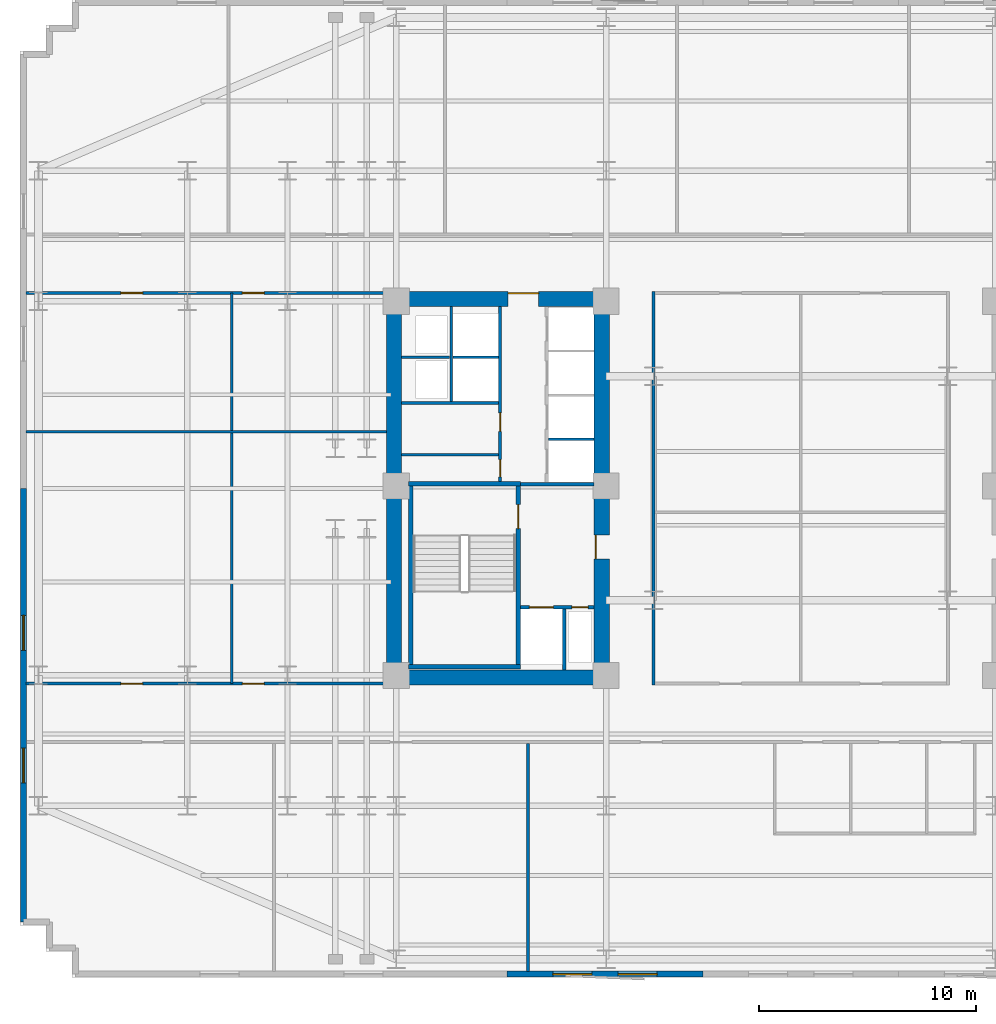
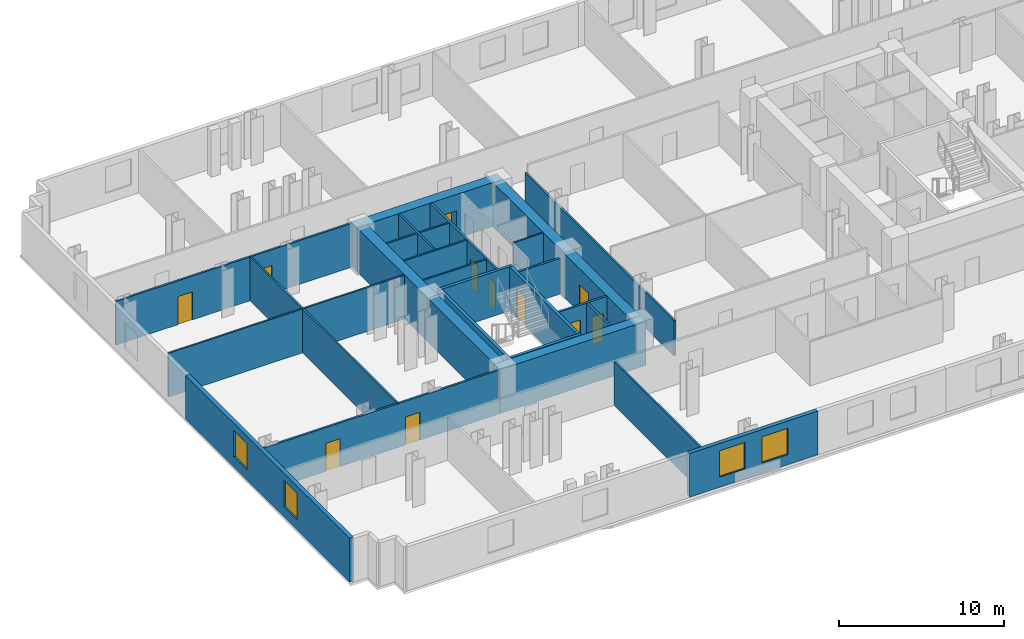
# One storey, part 4 of 10: 26 walls, 11 doors, 4 windows, 15 openings.
"""IFC4 building model written with IfcOpenShell, lengths in metres."""

from ifc_helpers import new_model, si_unit, direction, frame, frame_2d, origin, place, context, subcontext, project, spatial, rectangle, extrude, material, layer, layer_set, type_object, element, fill, save


model = new_model("IFC4")

# Units and contexts
model_context = context("Model", 3, precision=1e-05, world=origin(), true_north=direction((0.0, 1.0)))
body_context = subcontext(model_context, "Body", "Model", "MODEL_VIEW")
ifc_project = project(units=[si_unit("LENGTHUNIT", "METRE"), si_unit("AREAUNIT", "SQUARE_METRE"), si_unit("VOLUMEUNIT", "CUBIC_METRE"), si_unit("PLANEANGLEUNIT", "RADIAN"), si_unit("MASSUNIT", "GRAM", prefix="KILO")], contexts=[model_context])

# Site, building, storey
site_placement = place(None, origin())
site = spatial("IfcSite", under=ifc_project, at=site_placement, CompositionType="ELEMENT")
building_placement = place(site_placement, origin())
building = spatial("IfcBuilding", under=site, at=building_placement, Name="Velakula Bourse", CompositionType="ELEMENT")
storey_placement = place(building_placement, frame((0.0, 0.0, 62.25)))
storey = spatial("IfcBuildingStorey", under=building, at=storey_placement, Name="L16", CompositionType="ELEMENT", Elevation=62.25)

# Wall, opening, door
ifc_material_1 = material(Name="Concrete M50 (fck 50 MPa)", Category="concrete")
ifc_layer_1 = layer(ifc_material_1, 0.2099609375, Name="Concrete M50 (fck 50 MPa)", Category="concrete")
ifc_layer_set_1 = layer_set([ifc_layer_1], Name="Concrete M50 (fck 50 MPa)")
wall_type_1 = type_object("IfcWallType", Name="WL-CORE-210", PredefinedType="SHEAR", material=ifc_layer_set_1)
wall_1_placement = place(storey_placement, frame((-12.9951171875, -8.10009765625, 0.0), z_axis=(0.0, 0.0, 1.0), x_axis=(0.0, 1.0, 0.0)))
wall_1 = element("IfcWall", 1, at=wall_1_placement, inside=storey, type_object=wall_type_1, Name="L16 Core W Stairwell Shear Wall IN", PredefinedType="SHEAR", context=body_context, shape_type="SweptSolid", body=[
    extrude(rectangle(XDim=8.2001953125, YDim=0.2099609375, at=frame_2d((4.10009765625, 0.0))), origin(), (0.0, 0.0, 1.0), 3.27001953125),
])
opening_1_placement = place(wall_1_placement, frame((6.25, 0.0, 0.0)))
opening_1 = element("IfcOpeningElement", 2, at=opening_1_placement, cuts=wall_1, Name="Opening D-STW1", PredefinedType="OPENING", context=body_context, shape_type="SweptSolid", body=[
    extrude(rectangle(XDim=1.10009765625, YDim=2.14990234375, at=frame_2d((0.550048828125, 1.074951171875))), frame((0.0, 0.114990234375, 0.0), z_axis=(0.0, -1.0, 0.0), x_axis=(1.0, 0.0, 0.0)), (0.0, 0.0, 1.0), 0.22998046875),
])
ifc_material_2 = material(Name="Galvanised painted hollow steel fire door", Category="steel")
door_type_1 = type_object("IfcDoorType", Name="DR-FD120-1100x2150", OperationType="NOTDEFINED", PredefinedType="DOOR", material=ifc_material_2)
door_1_placement = place(opening_1_placement, origin())
door_1 = element("IfcDoor", 3, at=door_1_placement, inside=storey, type_object=door_type_1, Name="L16 Stair ST-W1 Fire Door", OperationType="SINGLE_SWING_LEFT", OverallHeight=2.14990234375, OverallWidth=1.10009765625, PredefinedType="DOOR", context=body_context, shape_type="SweptSolid", body=[
    extrude(rectangle(XDim=1.10009765625, YDim=2.14990234375, at=frame_2d((0.550048828125, 1.074951171875))), frame((0.0, 0.02490234375, 0.0), z_axis=(0.0, -1.0, 0.0), x_axis=(1.0, 0.0, 0.0)), (0.0, 0.0, 1.0), 0.050048828125),
])
fill(opening_1, door_1)

# Walls
wall_2_placement = place(storey_placement, frame((-17.925048828125, -8.10009765625, 0.0), z_axis=(0.0, 0.0, 1.0), x_axis=(0.0, 1.0, 0.0)))
element("IfcWall", 4, at=wall_2_placement, inside=storey, type_object=wall_type_1, Name="L16 Core W Stairwell Shear Wall OUT", PredefinedType="SHEAR", context=body_context, shape_type="SweptSolid", body=[
    extrude(rectangle(XDim=8.2001953125, YDim=0.2099609375, at=frame_2d((4.10009765625, 0.0))), origin(), (0.0, 0.0, 1.0), 3.27001953125),
])
for number, where, z_axis, x_axis, name in (
    (5, (-18.030029296875, -8.205078125, 0.0), (0.0, 0.0, 1.0), (1.0, 0.0, 0.0), "L16 Core W Stairwell Shear Wall S"),
    (6, (-12.889892578125, 0.205078125, 0.0), (0.0, 0.0, 1.0), (-1.0, 0.0, 0.0), "L16 Core W Stairwell Shear Wall N"),
):
    element("IfcWall", number, at=place(storey_placement, frame(where, z_axis=z_axis, x_axis=x_axis)), inside=storey, type_object=wall_type_1, Name=name, PredefinedType="SHEAR", context=body_context, shape_type="SweptSolid", body=[
        extrude(rectangle(XDim=5.14013671875, YDim=0.2099609375, at=frame_2d((2.570068359375, 0.0))), origin(), (0.0, 0.0, 1.0), 3.27001953125),
    ])
ifc_material_3 = material(Name="Concrete M70 (fck 70 MPa)", Category="concrete")
ifc_layer_2 = layer(ifc_material_3, 0.699951171875, Name="Concrete M70 (fck 70 MPa)", Category="concrete")
ifc_layer_set_2 = layer_set([ifc_layer_2], Name="Concrete M70 (fck 70 MPa)")
wall_type_2 = type_object("IfcWallType", Name="WL-CORE-700", PredefinedType="SHEAR", material=ifc_layer_set_2)
wall_3_placement = place(storey_placement, frame((-19.050048828125, -8.699951171875, 0.0), z_axis=(0.0, 0.0, 1.0), x_axis=(1.0, 0.0, 0.0)))
element("IfcWall", 7, at=wall_3_placement, inside=storey, type_object=wall_type_2, Name="L16 Core W Shear Wall S", PredefinedType="SHEAR", context=body_context, shape_type="SweptSolid", body=[
    extrude(rectangle(XDim=10.25, YDim=0.699951171875, at=frame_2d((5.125, 0.0))), origin(), (0.0, 0.0, 1.0), 3.27001953125),
])

# Wall, opening, door
wall_4_placement = place(storey_placement, frame((-19.050048828125, 8.699951171875, 0.0), z_axis=(0.0, 0.0, 1.0), x_axis=(1.0, 0.0, 0.0)))
wall_4 = element("IfcWall", 8, at=wall_4_placement, inside=storey, type_object=wall_type_2, Name="L16 Core W Shear Wall N", PredefinedType="SHEAR", context=body_context, shape_type="SweptSolid", body=[
    extrude(rectangle(XDim=10.25, YDim=0.699951171875, at=frame_2d((5.125, 0.0))), origin(), (0.0, 0.0, 1.0), 3.27001953125),
])
opening_2_placement = place(wall_4_placement, frame((5.60009765625, 0.0, 0.0)))
opening_2 = element("IfcOpeningElement", 9, at=opening_2_placement, cuts=wall_4, Name="Opening D-LLW", PredefinedType="OPENING", context=body_context, shape_type="SweptSolid", body=[
    extrude(rectangle(XDim=1.39990234375, YDim=2.050048828125, at=frame_2d((0.699951171875, 1.02490234375))), frame((0.0, 0.35986328125, 0.0), z_axis=(0.0, -1.0, 0.0), x_axis=(1.0, 0.0, 0.0)), (0.0, 0.0, 1.0), 0.719970703125),
])
ifc_material_4 = material(Name="Fire-rated hardwood flush architectural door", Category="wood")
door_type_2 = type_object("IfcDoorType", Name="DR-DBL-FD60-1400", OperationType="DOUBLE_DOOR_SINGLE_SWING", PredefinedType="DOOR", material=ifc_material_4)
door_2_placement = place(opening_2_placement, origin())
door_2 = element("IfcDoor", 10, at=door_2_placement, inside=storey, type_object=door_type_2, Name="L16 Core W Lift Lobby Corridor Double Door", OperationType="DOUBLE_DOOR_SINGLE_SWING", OverallHeight=2.050048828125, OverallWidth=1.39990234375, PredefinedType="DOOR", context=body_context, shape_type="SweptSolid", body=[
    extrude(rectangle(XDim=1.39990234375, YDim=2.050048828125, at=frame_2d((0.699951171875, 1.02490234375))), frame((0.0, 0.294921875, 0.0), z_axis=(0.0, -1.0, 0.0), x_axis=(1.0, 0.0, 0.0)), (0.0, 0.0, 1.0), 0.050048828125),
])
fill(opening_2, door_2)

# Wall
wall_5_placement = place(storey_placement, frame((-18.699951171875, -8.35009765625, 0.0), z_axis=(0.0, 0.0, 1.0), x_axis=(0.0, 1.0, 0.0)))
element("IfcWall", 11, at=wall_5_placement, inside=storey, type_object=wall_type_2, Name="L16 Core W Shear Wall W", PredefinedType="SHEAR", context=body_context, shape_type="SweptSolid", body=[
    extrude(rectangle(XDim=16.7001953125, YDim=0.699951171875, at=frame_2d((8.35009765625, 0.0))), origin(), (0.0, 0.0, 1.0), 3.27001953125),
])

# Wall, opening, door
wall_6_placement = place(storey_placement, frame((-9.14990234375, -8.35009765625, 0.0), z_axis=(0.0, 0.0, 1.0), x_axis=(0.0, 1.0, 0.0)))
wall_6 = element("IfcWall", 12, at=wall_6_placement, inside=storey, type_object=wall_type_2, Name="L16 Core W Shear Wall E", PredefinedType="SHEAR", context=body_context, shape_type="SweptSolid", body=[
    extrude(rectangle(XDim=16.7001953125, YDim=0.699951171875, at=frame_2d((8.35009765625, 0.0))), origin(), (0.0, 0.0, 1.0), 3.27001953125),
])
opening_3_placement = place(wall_6_placement, frame((5.10009765625, 0.0, 0.0)))
opening_3 = element("IfcOpeningElement", 13, at=opening_3_placement, cuts=wall_6, Name="Opening D-FLW", PredefinedType="OPENING", context=body_context, shape_type="SweptSolid", body=[
    extrude(rectangle(XDim=1.10009765625, YDim=2.080078125, at=frame_2d((0.550048828125, 1.0400390625))), frame((0.0, 0.35986328125, 0.0), z_axis=(0.0, -1.0, 0.0), x_axis=(1.0, 0.0, 0.0)), (0.0, 0.0, 1.0), 0.719970703125),
])
door_type_3 = type_object("IfcDoorType", Name="DR-FD120-1100", OperationType="NOTDEFINED", PredefinedType="DOOR", material=ifc_material_2)
door_3_placement = place(opening_3_placement, origin())
door_3 = element("IfcDoor", 14, at=door_3_placement, inside=storey, type_object=door_type_3, Name="L16 Firefighting Lobby W Corridor Fire Door", OperationType="SINGLE_SWING_LEFT", OverallHeight=2.080078125, OverallWidth=1.10009765625, PredefinedType="DOOR", context=body_context, shape_type="SweptSolid", body=[
    extrude(rectangle(XDim=1.10009765625, YDim=2.080078125, at=frame_2d((0.550048828125, 1.0400390625))), frame((0.0, 0.30517578125, 0.0), z_axis=(0.0, -1.0, 0.0), x_axis=(1.0, 0.0, 0.0)), (0.0, 0.0, 1.0), 0.050048828125),
])
fill(opening_3, door_3)

# Wall, openings, windows
ifc_material_5 = material(Name="Red kilned clay facing brick masonry", Category="masonry")
ifc_layer_3 = layer(ifc_material_5, 0.280029296875, Name="Red kilned clay facing brick masonry", Category="masonry")
ifc_layer_set_3 = layer_set([ifc_layer_3], Name="Red kilned clay facing brick masonry")
wall_type_3 = type_object("IfcWallType", Name="WL-EXT-BRK-280", PredefinedType="STANDARD", material=ifc_layer_set_3)
wall_7_placement = place(storey_placement, frame((-4.5, -22.340087890625, 0.0), z_axis=(0.0, 0.0, 1.0), x_axis=(-1.0, 0.0, 0.0)))
wall_7 = element("IfcWall", 15, at=wall_7_placement, inside=storey, type_object=wall_type_3, Name="L16 S Brick Spandrel Wall B2", PredefinedType="STANDARD", context=body_context, shape_type="SweptSolid", body=[
    extrude(rectangle(XDim=9.0, YDim=0.280029296875, at=frame_2d((4.5, 0.0))), origin(), (0.0, 0.0, 1.0), 3.25),
])
opening_4_placement = place(wall_7_placement, frame((2.10009765625, 0.0, 0.760009765625)))
opening_4 = element("IfcOpeningElement", 16, at=opening_4_placement, cuts=wall_7, Name="Opening W-01", PredefinedType="OPENING", context=body_context, shape_type="SweptSolid", body=[
    extrude(rectangle(XDim=1.800048828125, YDim=1.949951171875, at=frame_2d((0.89990234375, 0.97509765625))), frame((0.0, 0.14990234375, 0.0), z_axis=(0.0, -1.0, 0.0), x_axis=(1.0, 0.0, 0.0)), (0.0, 0.0, 1.0), 0.300048828125),
])
opening_5_placement = place(wall_7_placement, frame((5.10009765625, 0.0, 0.760009765625)))
opening_5 = element("IfcOpeningElement", 17, at=opening_5_placement, cuts=wall_7, Name="Opening W-01", PredefinedType="OPENING", context=body_context, shape_type="SweptSolid", body=[
    extrude(rectangle(XDim=1.800048828125, YDim=1.949951171875, at=frame_2d((0.89990234375, 0.97509765625))), frame((0.0, 0.14990234375, 0.0), z_axis=(0.0, -1.0, 0.0), x_axis=(1.0, 0.0, 0.0)), (0.0, 0.0, 1.0), 0.300048828125),
])
ifc_material_6 = material(Name="Double-glazed solar-control Low-E glass", Category="glass")
window_type_1 = type_object("IfcWindowType", Name="WIN-TWR-1800x2100", PartitioningType="SINGLE_PANEL", PredefinedType="WINDOW", material=ifc_material_6)
window_1_placement = place(opening_4_placement, origin())
window_1 = element("IfcWindow", 18, at=window_1_placement, inside=storey, type_object=window_type_1, Name="L16 Deep-Set Recessed Window 1", OverallHeight=1.949951171875, OverallWidth=1.800048828125, PartitioningType="SINGLE_PANEL", PredefinedType="WINDOW", context=body_context, shape_type="SweptSolid", body=[
    extrude(rectangle(XDim=1.800048828125, YDim=1.949951171875, at=frame_2d((0.89990234375, 0.97509765625))), frame((0.0, 0.030029296875, 0.0), z_axis=(0.0, -1.0, 0.0), x_axis=(1.0, 0.0, 0.0)), (0.0, 0.0, 1.0), 0.06005859375),
])
fill(opening_4, window_1)
window_2_placement = place(opening_5_placement, origin())
window_2 = element("IfcWindow", 19, at=window_2_placement, inside=storey, type_object=window_type_1, Name="L16 Deep-Set Recessed Window 2", OverallHeight=1.949951171875, OverallWidth=1.800048828125, PartitioningType="SINGLE_PANEL", PredefinedType="WINDOW", context=body_context, shape_type="SweptSolid", body=[
    extrude(rectangle(XDim=1.800048828125, YDim=1.949951171875, at=frame_2d((0.89990234375, 0.97509765625))), frame((0.0, 0.030029296875, 0.0), z_axis=(0.0, -1.0, 0.0), x_axis=(1.0, 0.0, 0.0)), (0.0, 0.0, 1.0), 0.06005859375),
])
fill(opening_5, window_2)

wall_8_placement = place(storey_placement, frame((-35.739990234375, -19.93994140625, 0.0), z_axis=(0.0, 0.0, 1.0), x_axis=(0.0, 1.0, 0.0)))
wall_8 = element("IfcWall", 20, at=wall_8_placement, inside=storey, type_object=wall_type_3, Name="L16 W Brick End Wall W1", PredefinedType="STANDARD", context=body_context, shape_type="SweptSolid", body=[
    extrude(rectangle(XDim=19.93994140625, YDim=0.280029296875, at=frame_2d((9.969970703125, 0.0))), origin(), (0.0, 0.0, 1.0), 3.25),
])
opening_6_placement = place(wall_8_placement, frame((6.396728515625, 0.0, 0.760009765625)))
opening_6 = element("IfcOpeningElement", 21, at=opening_6_placement, cuts=wall_8, Name="Opening W-02", PredefinedType="OPENING", context=body_context, shape_type="SweptSolid", body=[
    extrude(rectangle(XDim=1.60009765625, YDim=1.949951171875, at=frame_2d((0.800048828125, 0.97509765625))), frame((0.0, 0.14990234375, 0.0), z_axis=(0.0, -1.0, 0.0), x_axis=(1.0, 0.0, 0.0)), (0.0, 0.0, 1.0), 0.300048828125),
])
opening_7_placement = place(wall_8_placement, frame((12.493408203125, 0.0, 0.760009765625)))
opening_7 = element("IfcOpeningElement", 22, at=opening_7_placement, cuts=wall_8, Name="Opening W-02", PredefinedType="OPENING", context=body_context, shape_type="SweptSolid", body=[
    extrude(rectangle(XDim=1.60009765625, YDim=1.949951171875, at=frame_2d((0.800048828125, 0.97509765625))), frame((0.0, 0.14990234375, 0.0), z_axis=(0.0, -1.0, 0.0), x_axis=(1.0, 0.0, 0.0)), (0.0, 0.0, 1.0), 0.300048828125),
])
window_type_2 = type_object("IfcWindowType", Name="WIN-TWR-1600x2100", PartitioningType="SINGLE_PANEL", PredefinedType="WINDOW", material=ifc_material_6)
window_3_placement = place(opening_6_placement, origin())
window_3 = element("IfcWindow", 23, at=window_3_placement, inside=storey, type_object=window_type_2, Name="L16 Deep-Set Recessed Window 1", OverallHeight=1.949951171875, OverallWidth=1.60009765625, PartitioningType="SINGLE_PANEL", PredefinedType="WINDOW", context=body_context, shape_type="SweptSolid", body=[
    extrude(rectangle(XDim=1.60009765625, YDim=1.949951171875, at=frame_2d((0.800048828125, 0.97509765625))), frame((0.0, 0.030029296875, 0.0), z_axis=(0.0, -1.0, 0.0), x_axis=(1.0, 0.0, 0.0)), (0.0, 0.0, 1.0), 0.06005859375),
])
fill(opening_6, window_3)
window_4_placement = place(opening_7_placement, origin())
window_4 = element("IfcWindow", 24, at=window_4_placement, inside=storey, type_object=window_type_2, Name="L16 Deep-Set Recessed Window 2", OverallHeight=1.949951171875, OverallWidth=1.60009765625, PartitioningType="SINGLE_PANEL", PredefinedType="WINDOW", context=body_context, shape_type="SweptSolid", body=[
    extrude(rectangle(XDim=1.60009765625, YDim=1.949951171875, at=frame_2d((0.800048828125, 0.97509765625))), frame((0.0, 0.030029296875, 0.0), z_axis=(0.0, -1.0, 0.0), x_axis=(1.0, 0.0, 0.0)), (0.0, 0.0, 1.0), 0.06005859375),
])
fill(opening_7, window_4)

# Walls
ifc_material_7 = material(Name="Fire-rated double-layer gypsum drywall partition", Category="gypsum")
ifc_layer_4 = layer(ifc_material_7, 0.1201171875, Name="Fire-rated double-layer gypsum drywall partition", Category="gypsum")
ifc_layer_set_4 = layer_set([ifc_layer_4], Name="Fire-rated double-layer gypsum drywall partition")
wall_type_4 = type_object("IfcWallType", Name="WL-PART-120", PredefinedType="STANDARD", material=ifc_layer_set_4)
wall_9_placement = place(storey_placement, frame((-11.60009765625, 2.2548828125, 0.0), z_axis=(0.0, 0.0, 1.0), x_axis=(1.0, 0.0, 0.0)))
element("IfcWall", 25, at=wall_9_placement, inside=storey, type_object=wall_type_4, Name="L16 Interior Partition WL-CRW-L16-BDIV-0", PredefinedType="STANDARD", context=body_context, shape_type="SweptSolid", body=[
    extrude(rectangle(XDim=2.10009765625, YDim=0.110107421875, at=frame_2d((1.050048828125, 0.0))), origin(), (0.0, 0.0, 1.0), 3.25),
])
wall_10_placement = place(storey_placement, frame((-18.35009765625, 3.919921875, 0.0), z_axis=(0.0, 0.0, 1.0), x_axis=(1.0, 0.0, 0.0)))
element("IfcWall", 26, at=wall_10_placement, inside=storey, type_object=wall_type_4, Name="L16 Interior Partition WL-CRW-L16-HI-S", PredefinedType="STANDARD", context=body_context, shape_type="SweptSolid", body=[
    extrude(rectangle(XDim=4.4501953125, YDim=0.1201171875, at=frame_2d((2.22509765625, 0.0))), origin(), (0.0, 0.0, 1.0), 3.25),
])
wall_11_placement = place(storey_placement, frame((-18.35009765625, 6.030029296875, 0.0), z_axis=(0.0, 0.0, 1.0), x_axis=(1.0, 0.0, 0.0)))
element("IfcWall", 27, at=wall_11_placement, inside=storey, type_object=wall_type_4, Name="L16 Interior Partition WL-CRW-L16-RIS-MID", PredefinedType="STANDARD", context=body_context, shape_type="SweptSolid", body=[
    extrude(rectangle(XDim=2.2001953125, YDim=0.1201171875, at=frame_2d((1.10009765625, 0.0))), origin(), (0.0, 0.0, 1.0), 3.25),
])
wall_12_placement = place(storey_placement, frame((-16.074951171875, 3.97998046875, 0.0), z_axis=(0.0, 0.0, 1.0), x_axis=(0.0, 1.0, 0.0)))
element("IfcWall", 28, at=wall_12_placement, inside=storey, type_object=wall_type_4, Name="L16 Interior Partition WL-CRW-L16-RIS-F", PredefinedType="STANDARD", context=body_context, shape_type="SweptSolid", body=[
    extrude(rectangle(XDim=4.3701171875, YDim=0.1201171875, at=frame_2d((2.18505859375, 0.0))), origin(), (0.0, 0.0, 1.0), 3.25),
])
wall_13_placement = place(storey_placement, frame((-16.0, 6.030029296875, 0.0), z_axis=(0.0, 0.0, 1.0), x_axis=(1.0, 0.0, 0.0)))
element("IfcWall", 29, at=wall_13_placement, inside=storey, type_object=wall_type_4, Name="L16 Interior Partition WL-CRW-L16-HI-DIV", PredefinedType="STANDARD", context=body_context, shape_type="SweptSolid", body=[
    extrude(rectangle(XDim=2.10009765625, YDim=0.1201171875, at=frame_2d((1.050048828125, 0.0))), origin(), (0.0, 0.0, 1.0), 3.25),
])
wall_14_placement = place(storey_placement, frame((-18.35009765625, 1.550048828125, 0.0), z_axis=(0.0, 0.0, 1.0), x_axis=(1.0, 0.0, 0.0)))
element("IfcWall", 30, at=wall_14_placement, inside=storey, type_object=wall_type_4, Name="L16 Interior Partition WL-CRW-L16-K1", PredefinedType="STANDARD", context=body_context, shape_type="SweptSolid", body=[
    extrude(rectangle(XDim=4.4501953125, YDim=0.1201171875, at=frame_2d((2.22509765625, 0.0))), origin(), (0.0, 0.0, 1.0), 3.25),
])
wall_15_placement = place(storey_placement, frame((-12.5390625, -22.219970703125, 0.0), z_axis=(0.0, 0.0, 1.0), x_axis=(0.0, 1.0, 0.0)))
element("IfcWall", 31, at=wall_15_placement, inside=storey, type_object=wall_type_4, Name="L16 Interior Partition WL-INT-L16-SL-D6", PredefinedType="STANDARD", context=body_context, shape_type="SweptSolid", body=[
    extrude(rectangle(XDim=10.47998046875, YDim=0.1201171875, at=frame_2d((5.239990234375, 0.0))), origin(), (0.0, 0.0, 1.0), 3.25),
])
wall_16_placement = place(storey_placement, frame((-35.6201171875, 2.60009765625, 0.0), z_axis=(0.0, 0.0, 1.0), x_axis=(1.0, 0.0, 0.0)))
element("IfcWall", 32, at=wall_16_placement, inside=storey, type_object=wall_type_4, Name="L16 Interior Partition WL-INT-L16-W-H", PredefinedType="STANDARD", context=body_context, shape_type="SweptSolid", body=[
    extrude(rectangle(XDim=16.570068359375, YDim=0.1201171875, at=frame_2d((8.28515625, 0.0))), origin(), (0.0, 0.0, 1.0), 3.25),
])
wall_17_placement = place(storey_placement, frame((-26.155029296875, -8.97998046875, 0.0), z_axis=(0.0, 0.0, 1.0), x_axis=(0.0, 1.0, 0.0)))
element("IfcWall", 33, at=wall_17_placement, inside=storey, type_object=wall_type_4, Name="L16 Interior Partition WL-INT-L16-W-V1", PredefinedType="STANDARD", context=body_context, shape_type="SweptSolid", body=[
    extrude(rectangle(XDim=17.9599609375, YDim=0.1201171875, at=frame_2d((8.97998046875, 0.0))), origin(), (0.0, 0.0, 1.0), 3.25),
])

# Wall, openings, doors
ifc_layer_5 = layer(ifc_material_7, 0.139892578125, Name="Fire-rated double-layer gypsum drywall partition", Category="gypsum")
ifc_layer_set_5 = layer_set([ifc_layer_5], Name="Fire-rated double-layer gypsum drywall partition")
wall_type_5 = type_object("IfcWallType", Name="WL-PART-140", PredefinedType="STANDARD", material=ifc_layer_set_5)
wall_18_placement = place(storey_placement, frame((-35.6201171875, 8.97998046875, 0.0), z_axis=(0.0, 0.0, 1.0), x_axis=(1.0, 0.0, 0.0)))
wall_18 = element("IfcWall", 34, at=wall_18_placement, inside=storey, type_object=wall_type_5, Name="L16 Interior Partition WL-INT-L16-W-NC", PredefinedType="STANDARD", context=body_context, shape_type="SweptSolid", body=[
    extrude(rectangle(XDim=16.570068359375, YDim=0.139892578125, at=frame_2d((8.28515625, 0.0))), origin(), (0.0, 0.0, 1.0), 3.25),
])
opening_8_placement = place(wall_18_placement, frame((4.362548828125, 0.0, 0.0)))
opening_8 = element("IfcOpeningElement", 35, at=opening_8_placement, cuts=wall_18, Name="Opening D-OF1", PredefinedType="OPENING", context=body_context, shape_type="SweptSolid", body=[
    extrude(rectangle(XDim=1.0, YDim=2.080078125, at=frame_2d((0.5, 1.0400390625))), frame((0.0, 0.079833984375, 0.0), z_axis=(0.0, -1.0, 0.0), x_axis=(1.0, 0.0, 0.0)), (0.0, 0.0, 1.0), 0.159912109375),
])
opening_9_placement = place(wall_18_placement, frame((9.94921875, 0.0, 0.0)))
opening_9 = element("IfcOpeningElement", 36, at=opening_9_placement, cuts=wall_18, Name="Opening D-OF1", PredefinedType="OPENING", context=body_context, shape_type="SweptSolid", body=[
    extrude(rectangle(XDim=1.0, YDim=2.080078125, at=frame_2d((0.5, 1.0400390625))), frame((0.0, 0.079833984375, 0.0), z_axis=(0.0, -1.0, 0.0), x_axis=(1.0, 0.0, 0.0)), (0.0, 0.0, 1.0), 0.159912109375),
])
door_type_4 = type_object("IfcDoorType", Name="DR-OFF-1000", OperationType="NOTDEFINED", PredefinedType="DOOR", material=ifc_material_4)
door_4_placement = place(opening_8_placement, origin())
door_4 = element("IfcDoor", 37, at=door_4_placement, inside=storey, type_object=door_type_4, Name="L16 Chief Risk Officer Chamber Door", OperationType="SINGLE_SWING_LEFT", OverallHeight=2.080078125, OverallWidth=1.0, PredefinedType="DOOR", context=body_context, shape_type="SweptSolid", body=[
    extrude(rectangle(XDim=1.0, YDim=2.080078125, at=frame_2d((0.5, 1.0400390625))), frame((0.0, 0.02490234375, 0.0), z_axis=(0.0, -1.0, 0.0), x_axis=(1.0, 0.0, 0.0)), (0.0, 0.0, 1.0), 0.050048828125),
])
fill(opening_8, door_4)
door_5_placement = place(opening_9_placement, origin())
door_5 = element("IfcDoor", 38, at=door_5_placement, inside=storey, type_object=door_type_4, Name="L16 Disciplinary Hearing Room Door", OperationType="SINGLE_SWING_RIGHT", OverallHeight=2.080078125, OverallWidth=1.0, PredefinedType="DOOR", context=body_context, shape_type="SweptSolid", body=[
    extrude(rectangle(XDim=1.0, YDim=2.080078125, at=frame_2d((0.5, 1.0400390625))), frame((0.0, 0.02490234375, 0.0), z_axis=(0.0, -1.0, 0.0), x_axis=(1.0, 0.0, 0.0)), (0.0, 0.0, 1.0), 0.050048828125),
])
fill(opening_9, door_5)

wall_19_placement = place(storey_placement, frame((-35.6201171875, -8.97998046875, 0.0), z_axis=(0.0, 0.0, 1.0), x_axis=(1.0, 0.0, 0.0)))
wall_19 = element("IfcWall", 39, at=wall_19_placement, inside=storey, type_object=wall_type_5, Name="L16 Interior Partition WL-INT-L16-W-SC", PredefinedType="STANDARD", context=body_context, shape_type="SweptSolid", body=[
    extrude(rectangle(XDim=16.570068359375, YDim=0.139892578125, at=frame_2d((8.28515625, 0.0))), origin(), (0.0, 0.0, 1.0), 3.25),
])
opening_10_placement = place(wall_19_placement, frame((4.362548828125, 0.0, 0.0)))
opening_10 = element("IfcOpeningElement", 40, at=opening_10_placement, cuts=wall_19, Name="Opening D-OF1", PredefinedType="OPENING", context=body_context, shape_type="SweptSolid", body=[
    extrude(rectangle(XDim=1.0, YDim=2.080078125, at=frame_2d((0.5, 1.0400390625))), frame((0.0, 0.079833984375, 0.0), z_axis=(0.0, -1.0, 0.0), x_axis=(1.0, 0.0, 0.0)), (0.0, 0.0, 1.0), 0.159912109375),
])
opening_11_placement = place(wall_19_placement, frame((9.94921875, 0.0, 0.0)))
opening_11 = element("IfcOpeningElement", 41, at=opening_11_placement, cuts=wall_19, Name="Opening D-OF1", PredefinedType="OPENING", context=body_context, shape_type="SweptSolid", body=[
    extrude(rectangle(XDim=1.0, YDim=2.080078125, at=frame_2d((0.5, 1.0400390625))), frame((0.0, 0.079833984375, 0.0), z_axis=(0.0, -1.0, 0.0), x_axis=(1.0, 0.0, 0.0)), (0.0, 0.0, 1.0), 0.159912109375),
])
door_6_placement = place(opening_10_placement, origin())
door_6 = element("IfcDoor", 42, at=door_6_placement, inside=storey, type_object=door_type_4, Name="L16 Chief Risk Officer Chamber Door", OperationType="SINGLE_SWING_LEFT", OverallHeight=2.080078125, OverallWidth=1.0, PredefinedType="DOOR", context=body_context, shape_type="SweptSolid", body=[
    extrude(rectangle(XDim=1.0, YDim=2.080078125, at=frame_2d((0.5, 1.0400390625))), frame((0.0, 0.02490234375, 0.0), z_axis=(0.0, -1.0, 0.0), x_axis=(1.0, 0.0, 0.0)), (0.0, 0.0, 1.0), 0.050048828125),
])
fill(opening_10, door_6)
door_7_placement = place(opening_11_placement, origin())
door_7 = element("IfcDoor", 43, at=door_7_placement, inside=storey, type_object=door_type_4, Name="L16 Disciplinary Hearing Room Door", OperationType="SINGLE_SWING_RIGHT", OverallHeight=2.080078125, OverallWidth=1.0, PredefinedType="DOOR", context=body_context, shape_type="SweptSolid", body=[
    extrude(rectangle(XDim=1.0, YDim=2.080078125, at=frame_2d((0.5, 1.0400390625))), frame((0.0, 0.02490234375, 0.0), z_axis=(0.0, -1.0, 0.0), x_axis=(1.0, 0.0, 0.0)), (0.0, 0.0, 1.0), 0.050048828125),
])
fill(opening_11, door_7)

# Wall
wall_20_placement = place(storey_placement, frame((-6.780029296875, -9.050048828125, 0.0), z_axis=(0.0, 0.0, 1.0), x_axis=(0.0, 1.0, 0.0)))
element("IfcWall", 44, at=wall_20_placement, inside=storey, type_object=wall_type_5, Name="L16 Interior Partition WL-INT-L16-MID-W", PredefinedType="STANDARD", context=body_context, shape_type="SweptSolid", body=[
    extrude(rectangle(XDim=18.10009765625, YDim=0.139892578125, at=frame_2d((9.050048828125, 0.0))), origin(), (0.0, 0.0, 1.0), 2.64501953125),
])

# Wall, openings, doors
ifc_material_8 = material(Name="Autoclaved aerated concrete blockwork masonry", Category="masonry")
ifc_layer_6 = layer(ifc_material_8, 0.14990234375, Name="Autoclaved aerated concrete blockwork masonry", Category="masonry")
ifc_layer_set_6 = layer_set([ifc_layer_6], Name="Autoclaved aerated concrete blockwork masonry")
wall_type_6 = type_object("IfcWallType", Name="WL-SHAFT-150", PredefinedType="STANDARD", material=ifc_layer_set_6)
wall_21_placement = place(storey_placement, frame((-12.89501953125, -5.47509765625, 0.0), z_axis=(0.0, 0.0, 1.0), x_axis=(1.0, 0.0, 0.0)))
wall_21 = element("IfcWall", 45, at=wall_21_placement, inside=storey, type_object=wall_type_6, Name="L16 Interior Partition WL-CRW-L16-FFL-N", PredefinedType="STANDARD", context=body_context, shape_type="SweptSolid", body=[
    extrude(rectangle(XDim=3.39501953125, YDim=0.14990234375, at=frame_2d((1.697509765625, 0.0))), origin(), (0.0, 0.0, 1.0), 3.25),
])
opening_12_placement = place(wall_21_placement, frame((0.419921875, 0.0, 0.0)))
opening_12 = element("IfcOpeningElement", 46, at=opening_12_placement, cuts=wall_21, Name="Opening LD-FFL-1", PredefinedType="OPENING", context=body_context, shape_type="SweptSolid", body=[
    extrude(rectangle(XDim=1.10009765625, YDim=2.14990234375, at=frame_2d((0.550048828125, 1.074951171875))), frame((0.0, 0.0849609375, 0.0), z_axis=(0.0, -1.0, 0.0), x_axis=(1.0, 0.0, 0.0)), (0.0, 0.0, 1.0), 0.169921875),
])
opening_13_placement = place(wall_21_placement, frame((2.3701171875, 0.0, 0.0)))
opening_13 = element("IfcOpeningElement", 47, at=opening_13_placement, cuts=wall_21, Name="Opening D-RS1", PredefinedType="OPENING", context=body_context, shape_type="SweptSolid", body=[
    extrude(rectangle(XDim=0.75, YDim=2.050048828125, at=frame_2d((0.375, 1.02490234375))), frame((0.0, 0.0849609375, 0.0), z_axis=(0.0, -1.0, 0.0), x_axis=(1.0, 0.0, 0.0)), (0.0, 0.0, 1.0), 0.169921875),
])
door_type_5 = type_object("IfcDoorType", Name="DR-RISER-800", OperationType="NOTDEFINED", PredefinedType="DOOR", material=ifc_material_2)
door_8_placement = place(opening_13_placement, origin())
door_8 = element("IfcDoor", 48, at=door_8_placement, inside=storey, type_object=door_type_5, Name="L16 Fire Riser Access Door", OperationType="SINGLE_SWING_LEFT", OverallHeight=2.050048828125, OverallWidth=0.75, PredefinedType="DOOR", context=body_context, shape_type="SweptSolid", body=[
    extrude(rectangle(XDim=0.75, YDim=2.050048828125, at=frame_2d((0.375, 1.02490234375))), frame((0.0, 0.02490234375, 0.0), z_axis=(0.0, -1.0, 0.0), x_axis=(1.0, 0.0, 0.0)), (0.0, 0.0, 1.0), 0.050048828125),
])
fill(opening_13, door_8)
ifc_material_9 = material(Name="Brushed grade 316 stainless steel", Category="steel")
door_type_6 = type_object("IfcDoorType", Name="DR-SLIDE-FFL-1100", OperationType="DOUBLE_DOOR_SLIDING", PredefinedType="DOOR", material=ifc_material_9)
door_9_placement = place(opening_12_placement, origin())
door_9 = element("IfcDoor", 49, at=door_9_placement, inside=storey, type_object=door_type_6, Name="L16 Firefighting Lift FFL-1 Sliding Landing Door", OperationType="DOUBLE_DOOR_SLIDING", OverallHeight=2.14990234375, OverallWidth=1.10009765625, PredefinedType="DOOR", context=body_context, shape_type="SweptSolid", body=[
    extrude(rectangle(XDim=1.10009765625, YDim=2.14990234375, at=frame_2d((0.550048828125, 1.074951171875))), frame((0.0, 0.02490234375, 0.0), z_axis=(0.0, -1.0, 0.0), x_axis=(1.0, 0.0, 0.0)), (0.0, 0.0, 1.0), 0.050048828125),
])
fill(opening_12, door_9)

# Walls
wall_22_placement = place(storey_placement, frame((-10.875, -8.35009765625, 0.0), z_axis=(0.0, 0.0, 1.0), x_axis=(0.0, 1.0, 0.0)))
element("IfcWall", 50, at=wall_22_placement, inside=storey, type_object=wall_type_6, Name="L16 Interior Partition WL-CRW-L16-FR-DIV", PredefinedType="STANDARD", context=body_context, shape_type="SweptSolid", body=[
    extrude(rectangle(XDim=2.800048828125, YDim=0.14990234375, at=frame_2d((1.39990234375, 0.0))), origin(), (0.0, 0.0, 1.0), 3.25),
])
wall_23_placement = place(storey_placement, frame((-12.889892578125, 0.18994140625, 0.0), z_axis=(0.0, 0.0, 1.0), x_axis=(1.0, 0.0, 0.0)))
element("IfcWall", 51, at=wall_23_placement, inside=storey, type_object=wall_type_6, Name="L16 Interior Partition WL-CRW-L16-FF-TOP", PredefinedType="STANDARD", context=body_context, shape_type="SweptSolid", body=[
    extrude(rectangle(XDim=3.389892578125, YDim=0.14990234375, at=frame_2d((1.69482421875, 0.0))), origin(), (0.0, 0.0, 1.0), 2.64501953125),
])

# Wall, openings, doors
wall_24_placement = place(storey_placement, frame((-13.824951171875, 0.27001953125, 0.0), z_axis=(0.0, 0.0, 1.0), x_axis=(0.0, 1.0, 0.0)))
wall_24 = element("IfcWall", 52, at=wall_24_placement, inside=storey, type_object=wall_type_6, Name="L16 Interior Partition WL-CRW-L16-OUT-F", PredefinedType="STANDARD", context=body_context, shape_type="SweptSolid", body=[
    extrude(rectangle(XDim=8.080078125, YDim=0.14990234375, at=frame_2d((4.0400390625, 0.0))), origin(), (0.0, 0.0, 1.0), 3.25),
])
opening_14_placement = place(wall_24_placement, frame((0.25, 0.0, 0.0)))
opening_14 = element("IfcOpeningElement", 53, at=opening_14_placement, cuts=wall_24, Name="Opening D-CS1", PredefinedType="OPENING", context=body_context, shape_type="SweptSolid", body=[
    extrude(rectangle(XDim=0.800048828125, YDim=2.050048828125, at=frame_2d((0.39990234375, 1.02490234375))), frame((0.0, 0.0849609375, 0.0), z_axis=(0.0, -1.0, 0.0), x_axis=(1.0, 0.0, 0.0)), (0.0, 0.0, 1.0), 0.169921875),
])
opening_15_placement = place(wall_24_placement, frame((2.35009765625, 0.0, 0.0)))
opening_15 = element("IfcOpeningElement", 54, at=opening_15_placement, cuts=wall_24, Name="Opening D-CW1", PredefinedType="OPENING", context=body_context, shape_type="SweptSolid", body=[
    extrude(rectangle(XDim=0.85009765625, YDim=2.050048828125, at=frame_2d((0.425048828125, 1.02490234375))), frame((0.0, 0.0849609375, 0.0), z_axis=(0.0, -1.0, 0.0), x_axis=(1.0, 0.0, 0.0)), (0.0, 0.0, 1.0), 0.169921875),
])
door_type_7 = type_object("IfcDoorType", Name="DR-INT-850", OperationType="NOTDEFINED", PredefinedType="DOOR", material=ifc_material_4)
door_10_placement = place(opening_15_placement, origin())
door_10 = element("IfcDoor", 55, at=door_10_placement, inside=storey, type_object=door_type_7, Name="L16 Core Janitor Closet Door", OperationType="SINGLE_SWING_RIGHT", OverallHeight=2.050048828125, OverallWidth=0.85009765625, PredefinedType="DOOR", context=body_context, shape_type="SweptSolid", body=[
    extrude(rectangle(XDim=0.85009765625, YDim=2.050048828125, at=frame_2d((0.425048828125, 1.02490234375))), frame((0.0, 0.02490234375, 0.0), z_axis=(0.0, -1.0, 0.0), x_axis=(1.0, 0.0, 0.0)), (0.0, 0.0, 1.0), 0.050048828125),
])
fill(opening_15, door_10)
door_type_8 = type_object("IfcDoorType", Name="DR-RISER-800x2050", OperationType="NOTDEFINED", PredefinedType="DOOR", material=ifc_material_2)
door_11_placement = place(opening_14_placement, origin())
door_11 = element("IfcDoor", 56, at=door_11_placement, inside=storey, type_object=door_type_8, Name="L16 Core Cleaner Store Door", OperationType="SINGLE_SWING_RIGHT", OverallHeight=2.050048828125, OverallWidth=0.800048828125, PredefinedType="DOOR", context=body_context, shape_type="SweptSolid", body=[
    extrude(rectangle(XDim=0.800048828125, YDim=2.050048828125, at=frame_2d((0.39990234375, 1.02490234375))), frame((0.0, 0.02490234375, 0.0), z_axis=(0.0, -1.0, 0.0), x_axis=(1.0, 0.0, 0.0)), (0.0, 0.0, 1.0), 0.050048828125),
])
fill(opening_14, door_11)

save(model, "model.ifc")
